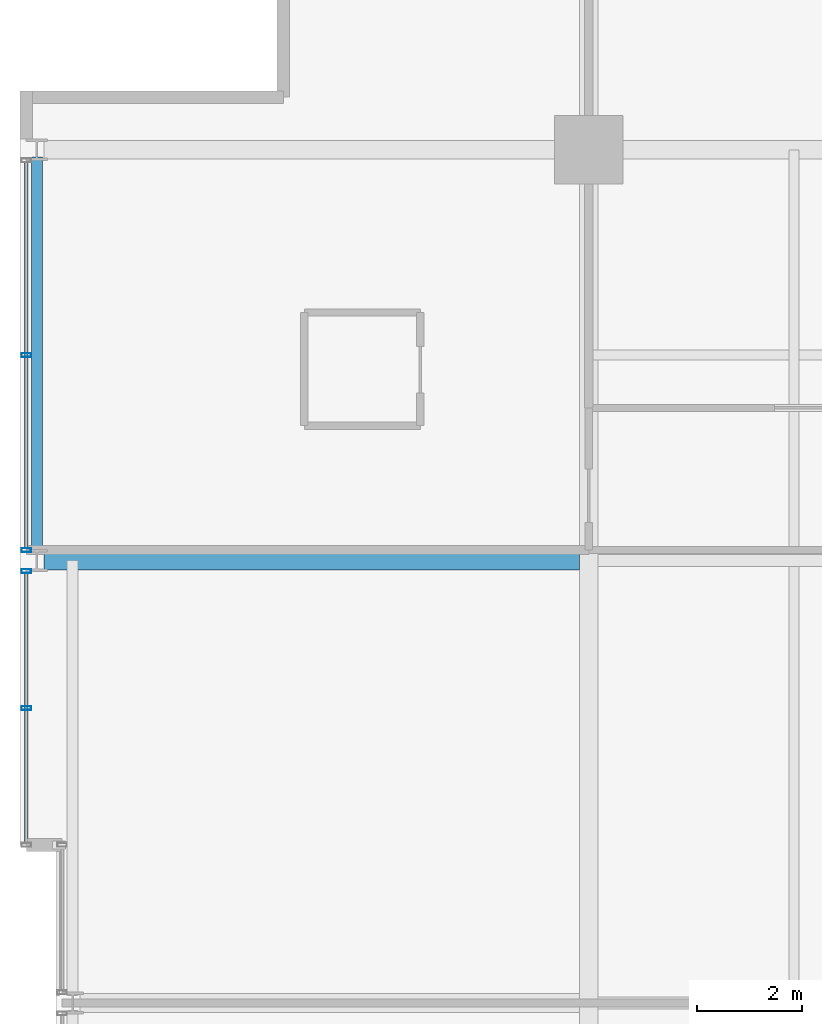
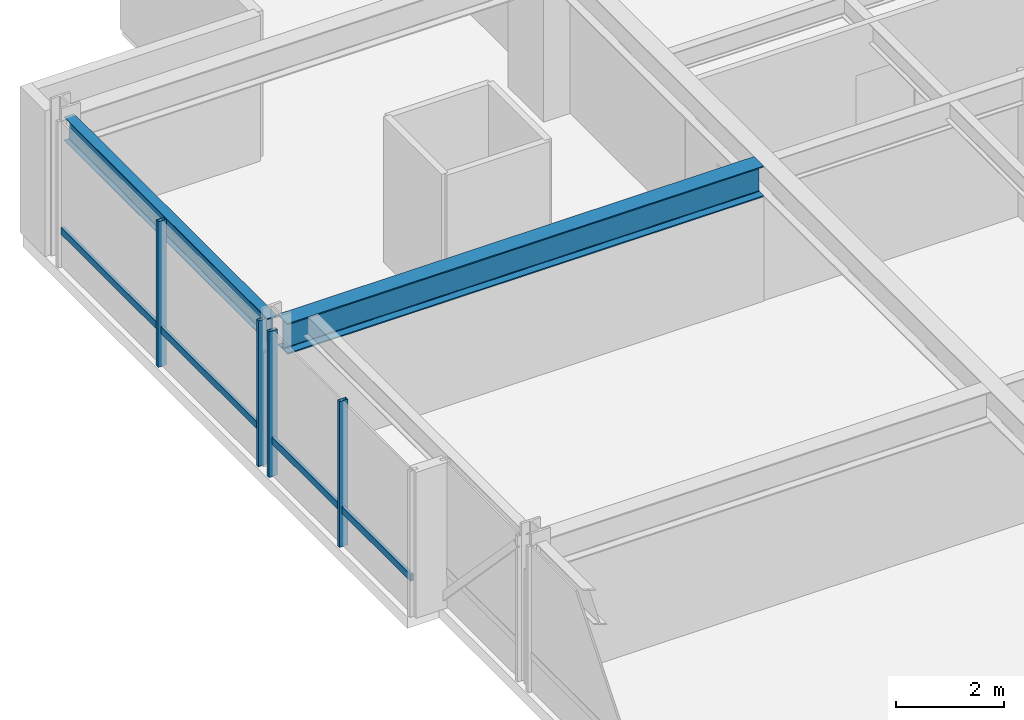
# One storey, part 17 of 33: 6 members, 2 beams, 2 elements without a shape of their own.
"""IFC4 building model written with IfcOpenShell, lengths in metres."""

from ifc_helpers import new_model, si_unit, direction, frame, origin, origin_2d, place, context, subcontext, project, spatial, hollow_rectangle, i_section, extrude, material, layer, layer_set, material_profile, profile_set, type_object, element, aggregate, save


model = new_model("IFC4")

# Units and contexts
model_context = context("Model", 3, precision=1e-05, world=origin(), true_north=direction((0.0, 1.0)))
body_context = subcontext(model_context, "Body", "Model", "MODEL_VIEW")
ifc_project = project(units=[si_unit("LENGTHUNIT", "METRE"), si_unit("AREAUNIT", "SQUARE_METRE"), si_unit("VOLUMEUNIT", "CUBIC_METRE"), si_unit("PLANEANGLEUNIT", "RADIAN"), si_unit("MASSUNIT", "GRAM", prefix="KILO")], contexts=[model_context])

# Site, building, storey
site_placement = place(None, origin())
site = spatial("IfcSite", under=ifc_project, at=site_placement, CompositionType="ELEMENT")
building_placement = place(site_placement, origin())
building = spatial("IfcBuilding", under=site, at=building_placement, Name="Drelvath Grand Hotel", CompositionType="ELEMENT")
storey_placement = place(building_placement, frame((0.0, 0.0, 168.14990234375)))
storey = spatial("IfcBuildingStorey", under=building, at=storey_placement, Name="L43", CompositionType="ELEMENT", Elevation=168.14990234375)

# Curtain wall, member
ifc_material_1 = material(Name="Brushed Pale-Silver Anodised Aluminium Frame", Category="aluminium")
ifc_layer = layer(ifc_material_1, 0.199951171875)
ifc_layer_set = layer_set([ifc_layer], Name="Brushed Pale-Silver Anodised Aluminium Frame")
curtain_wall_type = type_object("IfcCurtainWallType", Name="Stick Curtain Wall CW-04 Brushed Silver Upper-Mid", PredefinedType="NOTDEFINED", material=ifc_layer_set)
curtain_wall_1_placement = place(storey_placement, origin())
curtain_wall_1 = element("IfcCurtainWall", 1, at=curtain_wall_1_placement, inside=storey, type_object=curtain_wall_type, Name="L43 CW-04 Curtain Wall CW04-L43-WN1", PredefinedType="NOTDEFINED")
ifc_material_profile_1 = material_profile(ifc_material_1, hollow_rectangle(XDim=0.06494140625, YDim=0.159912109375, WallThickness=0.00390625, at=origin_2d()), Name="HSS160X65X4")
ifc_profile_set_1 = profile_set([ifc_material_profile_1], Name="Brushed Pale-Silver Anodised Aluminium Frame")
member_type_1 = type_object("IfcMemberType", Name="Curtain Wall Horizontal Transom CW-04 HSS160X65X4", PredefinedType="USERDEFINED", material=ifc_profile_set_1)
member_1_placement = place(storey_placement, frame((-26.8798828125, 30.0400390625, 0.822509765625), z_axis=(0.0, 1.0, 0.0), x_axis=(-1.0, 0.0, 0.0)))
member_1 = element("IfcMember", 2, at=member_1_placement, type_object=member_type_1, Name="CW04-L43-WN1 Sill Transom", ObjectType="TRANSOM", PredefinedType="USERDEFINED", context=body_context, shape_type="SweptSolid", body=[
    extrude(hollow_rectangle(XDim=0.06494140625, YDim=0.159912109375, WallThickness=0.00390625, at=origin_2d()), origin(), (0.0, 0.0, 1.0), 5.119873046875),
])

curtain_wall_2_placement = place(storey_placement, origin())
curtain_wall_2 = element("IfcCurtainWall", 3, at=curtain_wall_2_placement, inside=storey, type_object=curtain_wall_type, Name="L43 CW-04 Curtain Wall CW04-L43-WN2", PredefinedType="NOTDEFINED")
member_2_placement = place(storey_placement, frame((-26.8798828125, 35.639892578125, 0.822509765625), z_axis=(0.0, 1.0, 0.0), x_axis=(-1.0, 0.0, 0.0)))
member_2 = element("IfcMember", 4, at=member_2_placement, type_object=member_type_1, Name="CW04-L43-WN2 Sill Transom", ObjectType="TRANSOM", PredefinedType="USERDEFINED", context=body_context, shape_type="SweptSolid", body=[
    extrude(hollow_rectangle(XDim=0.06494140625, YDim=0.159912109375, WallThickness=0.00390625, at=origin_2d()), origin(), (0.0, 0.0, 1.0), 7.320068359375),
])

# Member
ifc_material_profile_2 = material_profile(ifc_material_1, hollow_rectangle(XDim=0.074951171875, YDim=0.179931640625, WallThickness=0.0048828125, at=origin_2d()), Name="HSS180X75X5")
ifc_profile_set_2 = profile_set([ifc_material_profile_2], Name="Brushed Pale-Silver Anodised Aluminium Frame")
member_type_2 = type_object("IfcMemberType", Name="Curtain Wall Vertical Mullion CW-04 HSS180X75X5", PredefinedType="MULLION", material=ifc_profile_set_2)
member_3_placement = place(storey_placement, frame((-26.8798828125, 32.60009765625, 0.0), z_axis=(0.0, 0.0, 1.0), x_axis=(0.0, 1.0, 0.0)))
member_3 = element("IfcMember", 5, at=member_3_placement, type_object=member_type_2, Name="CW04-L43-WN1 Mullion 2", PredefinedType="MULLION", context=body_context, shape_type="SweptSolid", body=[
    extrude(hollow_rectangle(XDim=0.074951171875, YDim=0.179931640625, WallThickness=0.0048828125, at=origin_2d()), origin(), (0.0, 0.0, 1.0), 3.2900390625),
])

member_4_placement = place(storey_placement, frame((-26.8798828125, 35.199951171875, 0.0), z_axis=(0.0, 0.0, 1.0), x_axis=(0.0, 1.0, 0.0)))
member_4 = element("IfcMember", 6, at=member_4_placement, type_object=member_type_2, Name="CW04-L43-WN1 Mullion 3", PredefinedType="MULLION", context=body_context, shape_type="SweptSolid", body=[
    extrude(hollow_rectangle(XDim=0.074951171875, YDim=0.179931640625, WallThickness=0.0048828125, at=origin_2d()), origin(), (0.0, 0.0, 1.0), 3.2900390625),
])

aggregate(curtain_wall_1, [member_3, member_4, member_1])

member_5_placement = place(storey_placement, frame((-26.8798828125, 35.60009765625, 0.0), z_axis=(0.0, 0.0, 1.0), x_axis=(0.0, 1.0, 0.0)))
member_5 = element("IfcMember", 7, at=member_5_placement, type_object=member_type_2, Name="CW04-L43-WN2 Mullion 1", PredefinedType="MULLION", context=body_context, shape_type="SweptSolid", body=[
    extrude(hollow_rectangle(XDim=0.074951171875, YDim=0.179931640625, WallThickness=0.0048828125, at=origin_2d()), origin(), (0.0, 0.0, 1.0), 3.2900390625),
])

member_6_placement = place(storey_placement, frame((-26.8798828125, 39.300048828125, 0.0), z_axis=(0.0, 0.0, 1.0), x_axis=(0.0, 1.0, 0.0)))
member_6 = element("IfcMember", 8, at=member_6_placement, type_object=member_type_2, Name="CW04-L43-WN2 Mullion 2", PredefinedType="MULLION", context=body_context, shape_type="SweptSolid", body=[
    extrude(hollow_rectangle(XDim=0.074951171875, YDim=0.179931640625, WallThickness=0.0048828125, at=origin_2d()), origin(), (0.0, 0.0, 1.0), 3.2900390625),
])

aggregate(curtain_wall_2, [member_5, member_6, member_2])

# Beams
ifc_material_2 = material(Name="Steel ASTM A992 Gr 50", Category="steel")
ifc_material_profile_3 = material_profile(ifc_material_2, i_section(OverallWidth=0.210205078125, OverallDepth=0.53662109375, WebThickness=0.010986328125, FlangeThickness=0.017333984375, FilletRadius=0.01806640625, at=origin_2d()), Name="W21X68")
ifc_profile_set_3 = profile_set([ifc_material_profile_3], Name="Steel ASTM A992 Gr 50")
beam_type_1 = type_object("IfcBeamType", Name="Perimeter Spandrel Beam W21X68", PredefinedType="SPANDREL", material=ifc_profile_set_3)
beam_1_placement = place(storey_placement, frame((-26.679931640625, 35.5400390625, 3.021728515625), z_axis=(0.0, 1.0, 0.0), x_axis=(-1.0, 0.0, 0.0)))
element("IfcBeam", 9, at=beam_1_placement, inside=storey, type_object=beam_type_1, Name="L43 Spandrel West N", PredefinedType="SPANDREL", context=body_context, shape_type="SweptSolid", body=[
    extrude(i_section(OverallWidth=0.210205078125, OverallDepth=0.53662109375, WebThickness=0.010986328125, FlangeThickness=0.017333984375, FilletRadius=0.01806640625, at=origin_2d()), origin(), (0.0, 0.0, 1.0), 7.52001953125),
])
ifc_material_profile_4 = material_profile(ifc_material_2, i_section(OverallWidth=0.354736328125, OverallDepth=0.695556640625, WebThickness=0.015380859375, FlangeThickness=0.025146484375, FilletRadius=0.02392578125, at=origin_2d()), Name="W27X146")
ifc_profile_set_4 = profile_set([ifc_material_profile_4], Name="Steel ASTM A992 Gr 50")
beam_type_2 = type_object("IfcBeamType", Name="Primary Floor Girder W27X146", PredefinedType="BEAM", material=ifc_profile_set_4)
beam_2_placement = place(storey_placement, frame((-26.5400390625, 35.39990234375, 2.9423828125), z_axis=(1.0, 0.0, 0.0), x_axis=(0.0, 1.0, 0.0)))
element("IfcBeam", 10, at=beam_2_placement, inside=storey, type_object=beam_type_2, Name="L43 West Wing Girder F", PredefinedType="BEAM", context=body_context, shape_type="SweptSolid", body=[
    extrude(i_section(OverallWidth=0.354736328125, OverallDepth=0.695556640625, WebThickness=0.015380859375, FlangeThickness=0.025146484375, FilletRadius=0.02392578125, at=origin_2d()), origin(), (0.0, 0.0, 1.0), 10.16259765625),
])

save(model, "model.ifc")
